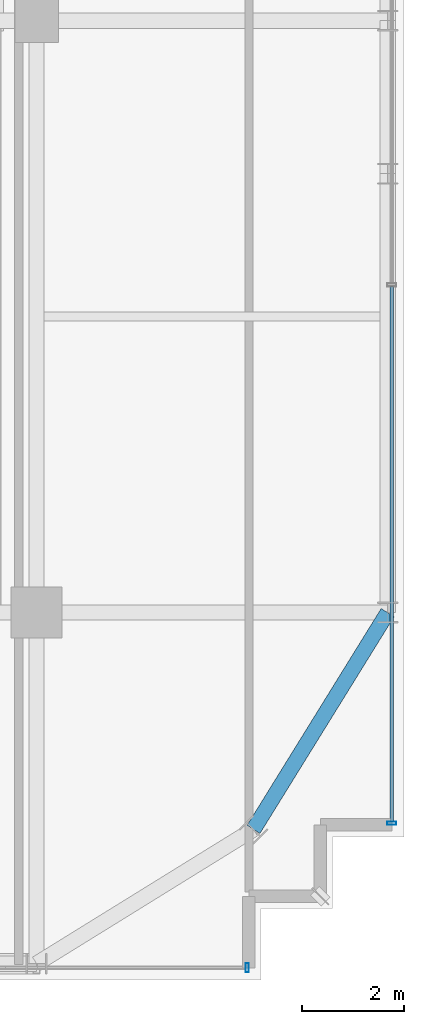
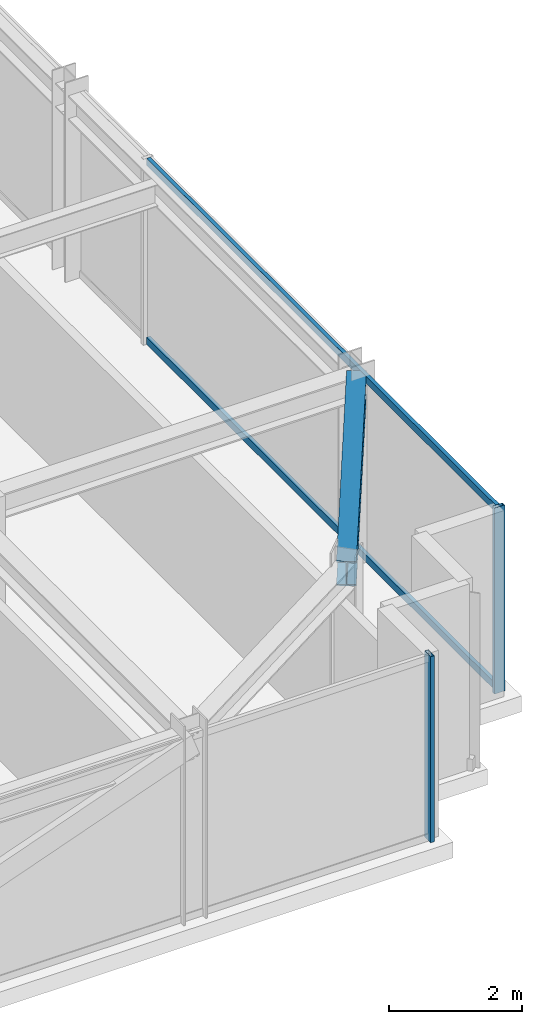
# One storey, part 14 of 41: 4 members, 1 beam, 2 elements without a shape of their own.
"""IFC4 building model written with IfcOpenShell, lengths in metres."""

from ifc_helpers import new_model, si_unit, direction, frame, origin, origin_2d, place, context, subcontext, project, spatial, hollow_rectangle, i_section, extrude, source, transform, mapped, material, material_profile, profile_set, type_object, element, aggregate, save


model = new_model("IFC4")

# Units and contexts
model_context = context("Model", 3, precision=1e-05, world=origin(), true_north=direction((0.0, 1.0)))
body_context = subcontext(model_context, "Body", "Model", "MODEL_VIEW")
ifc_project = project(units=[si_unit("LENGTHUNIT", "METRE"), si_unit("AREAUNIT", "SQUARE_METRE"), si_unit("VOLUMEUNIT", "CUBIC_METRE"), si_unit("PLANEANGLEUNIT", "RADIAN"), si_unit("MASSUNIT", "GRAM", prefix="KILO")], contexts=[model_context])

# Site, building, storey
site_placement = place(None, origin())
site = spatial("IfcSite", under=ifc_project, at=site_placement, CompositionType="ELEMENT")
building_placement = place(site_placement, origin())
building = spatial("IfcBuilding", under=site, at=building_placement, Name="Nahalor Promenade Grand Hotel", CompositionType="ELEMENT")
storey_placement = place(building_placement, frame((0.0, 0.0, 227.10009765625)))
storey = spatial("IfcBuildingStorey", under=building, at=storey_placement, Name="L58", CompositionType="ELEMENT", Elevation=227.10009765625)

# Beam
ifc_material_1 = material(Name="Steel S355JR", Category="steel")
ifc_material_profile_1 = material_profile(ifc_material_1, i_section(OverallWidth=0.3, OverallDepth=0.45, WebThickness=0.014, FlangeThickness=0.026, at=origin_2d()), Name="HEB 450")
ifc_profile_set_1 = profile_set([ifc_material_profile_1], Name="Steel S355JR")
beam_type = type_object("IfcBeamType", Name="Beam-Spandrel-HEB450", PredefinedType="SPANDREL", material=ifc_profile_set_1)
shared_shape_1 = source(origin(), body_context, "Body", "SweptSolid", [
    extrude(i_section(OverallWidth=0.3, OverallDepth=0.45, WebThickness=0.014, FlangeThickness=0.026, at=origin_2d()), origin(), (0.0, 0.0, 1.0), 4.997802734375),
])
beam_placement = place(storey_placement, frame((21.25, -21.25, 3.184814453125), z_axis=(0.526199891161, 0.850360908404, 0.0), x_axis=(-0.850360908404, 0.526199891161, 0.0)))
element("IfcBeam", 1, at=beam_placement, inside=storey, type_object=beam_type, Name="BM-L58-SPC-SE-2", PredefinedType="SPANDREL", context=body_context, shape_type="MappedRepresentation", body=[
    mapped(shared_shape_1, transform((0.0, 0.0, 0.0), scale=1.0)),
])

# Curtain wall, members
ifc_material_2 = material(Name="Anodised Bronze Aluminium EN AW-6063 T6", Category="aluminium")
curtain_wall_type = type_object("IfcCurtainWallType", Name="CW2 Typical Hotel Flush Bronze Unitised Curtain Wall", PredefinedType="USERDEFINED", material=ifc_material_2)
curtain_wall_1_placement = place(storey_placement, origin())
curtain_wall_1 = element("IfcCurtainWall", 2, at=curtain_wall_1_placement, inside=storey, type_object=curtain_wall_type, Name="L58 Curtain Wall CW-L58-E-1", ObjectType="UNITISED_CURTAIN_WALL", PredefinedType="USERDEFINED")
ifc_material_profile_2 = material_profile(ifc_material_2, hollow_rectangle(XDim=0.065, YDim=0.13, WallThickness=0.004, at=origin_2d()), Name="CWT 65x130x4")
ifc_profile_set_2 = profile_set([ifc_material_profile_2], Name="Anodised Bronze Aluminium EN AW-6063 T6")
member_type_1 = type_object("IfcMemberType", Name="CWT2 Typical Bronze Transom 65x130", PredefinedType="USERDEFINED", material=ifc_profile_set_2)
shared_shape_2 = source(origin(), body_context, "Body", "SweptSolid", [
    extrude(hollow_rectangle(XDim=0.065, YDim=0.13, WallThickness=0.004, at=origin_2d()), origin(), (0.0, 0.0, 1.0), 10.482421875),
])
member_1_placement = place(storey_placement, frame((23.9599609375, -21.094970703125, 0.06494140625), z_axis=(0.0, 1.0, 0.0), x_axis=(-1.0, 0.0, 0.0)))
member_1 = element("IfcMember", 3, at=member_1_placement, type_object=member_type_1, Name="CW-L58-E-1 Transom 0-0", ObjectType="TRANSOM", PredefinedType="USERDEFINED", context=body_context, shape_type="MappedRepresentation", body=[
    mapped(shared_shape_2, transform((0.0, 0.0, 0.0), scale=1.0)),
])
member_2_placement = place(storey_placement, frame((23.9599609375, -21.094970703125, 3.344970703125), z_axis=(0.0, 1.0, 0.0), x_axis=(-1.0, 0.0, 0.0)))
member_2 = element("IfcMember", 4, at=member_2_placement, type_object=member_type_1, Name="CW-L58-E-1 Transom 0-1", ObjectType="TRANSOM", PredefinedType="USERDEFINED", context=body_context, shape_type="MappedRepresentation", body=[
    mapped(shared_shape_2, transform((0.0, 0.0, 0.0), scale=1.0)),
])

# Curtain wall, member
curtain_wall_2_placement = place(storey_placement, origin())
curtain_wall_2 = element("IfcCurtainWall", 5, at=curtain_wall_2_placement, inside=storey, type_object=curtain_wall_type, Name="L58 Curtain Wall CW-L58-S-1", ObjectType="UNITISED_CURTAIN_WALL", PredefinedType="USERDEFINED")
ifc_material_profile_3 = material_profile(ifc_material_2, hollow_rectangle(XDim=0.065, YDim=0.18, WallThickness=0.004, at=origin_2d()), Name="CWM 65x180x4")
ifc_profile_set_3 = profile_set([ifc_material_profile_3], Name="Anodised Bronze Aluminium EN AW-6063 T6")
member_type_2 = type_object("IfcMemberType", Name="CWM2 Typical Bronze Mullion 65x180", PredefinedType="MULLION", material=ifc_profile_set_3)
shared_shape_3 = source(origin(), body_context, "Body", "SweptSolid", [
    extrude(hollow_rectangle(XDim=0.065, YDim=0.18, WallThickness=0.004, at=origin_2d()), origin(), (0.0, 0.0, 1.0), 3.409912109375),
])
member_3_placement = place(storey_placement, frame((21.12744140625, -23.9599609375, 0.0), z_axis=(0.0, 0.0, 1.0), x_axis=(1.0, 0.0, 0.0)))
member_3 = element("IfcMember", 6, at=member_3_placement, type_object=member_type_2, Name="CW-L58-S-1 Mullion 4", PredefinedType="MULLION", context=body_context, shape_type="MappedRepresentation", body=[
    mapped(shared_shape_3, transform((0.0, 0.0, 0.0), scale=1.0)),
])
aggregate(curtain_wall_2, [member_3])

# Member
member_4_placement = place(storey_placement, frame((23.9599609375, -21.12744140625, 0.0), z_axis=(0.0, 0.0, 1.0), x_axis=(0.0, 1.0, 0.0)))
member_4 = element("IfcMember", 7, at=member_4_placement, type_object=member_type_2, Name="CW-L58-E-1 Mullion 0", PredefinedType="MULLION", context=body_context, shape_type="MappedRepresentation", body=[
    mapped(shared_shape_3, transform((0.0, 0.0, 0.0), scale=1.0)),
])

aggregate(curtain_wall_1, [member_4, member_1, member_2])

save(model, "model.ifc")
